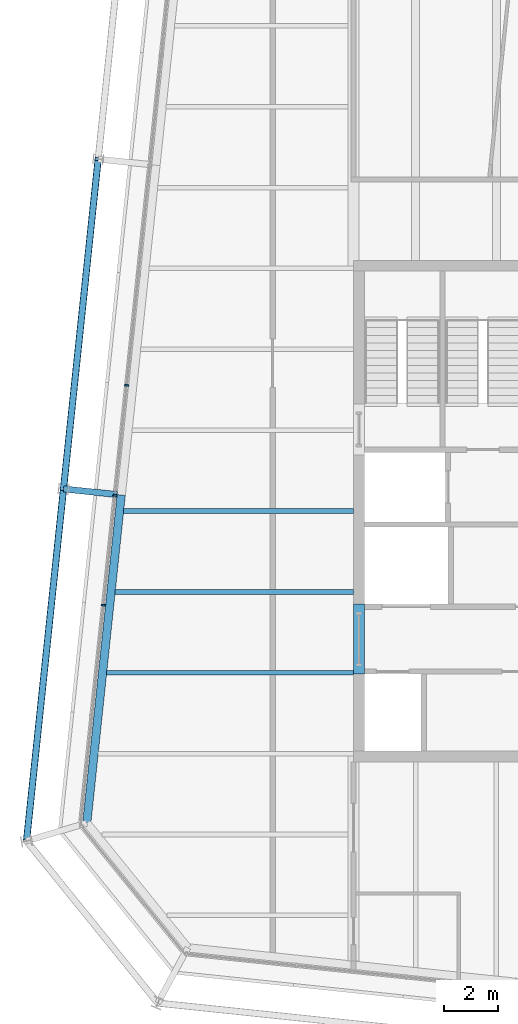
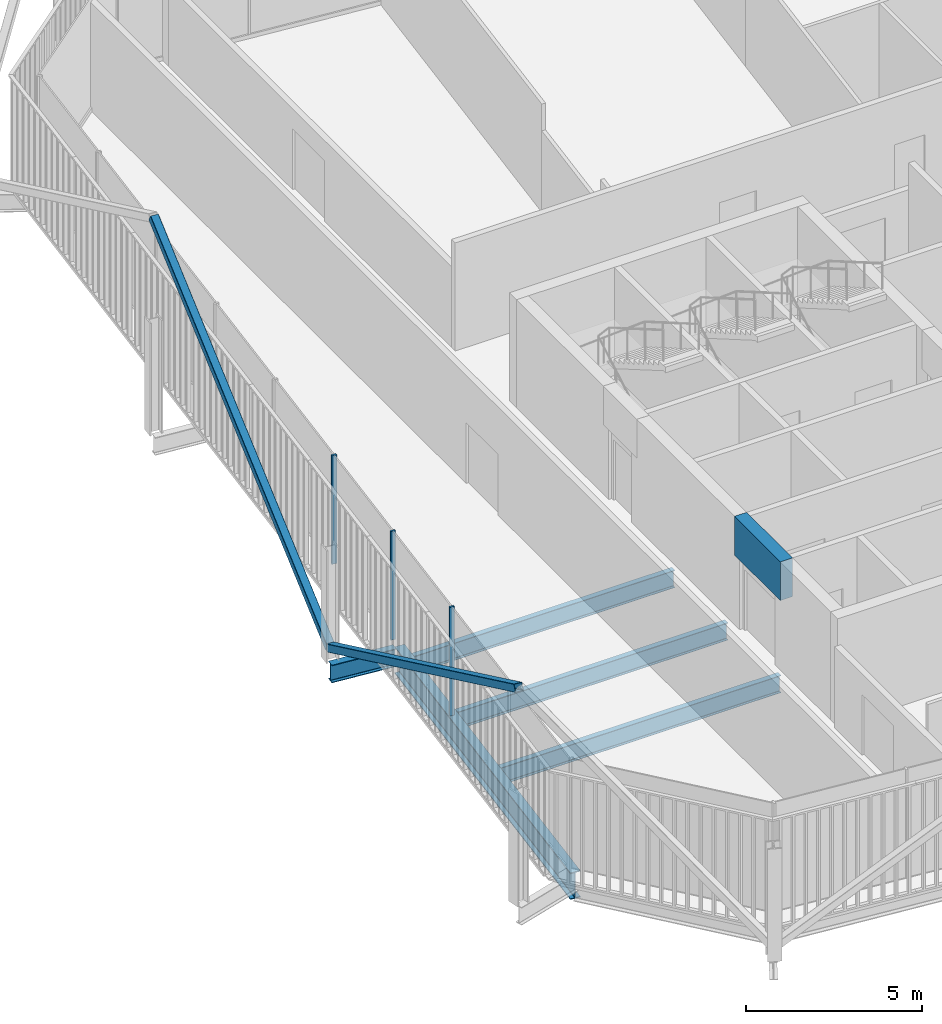
# One storey, part 6 of 21: 6 beams, 5 members, 1 element without a shape of its own.
"""IFC4 building model written with IfcOpenShell, lengths in metres."""

from ifc_helpers import new_model, si_unit, direction, frame, origin, origin_2d, place, context, subcontext, project, spatial, rectangle, hollow_rectangle, i_section, extrude, material, layer, layer_set, material_profile, profile_set, type_object, element, aggregate, save


model = new_model("IFC4")

# Units and contexts
model_context = context("Model", 3, precision=1e-05, world=origin(), true_north=direction((0.0, 1.0)))
body_context = subcontext(model_context, "Body", "Model", "MODEL_VIEW")
ifc_project = project(units=[si_unit("LENGTHUNIT", "METRE"), si_unit("AREAUNIT", "SQUARE_METRE"), si_unit("VOLUMEUNIT", "CUBIC_METRE"), si_unit("PLANEANGLEUNIT", "RADIAN"), si_unit("MASSUNIT", "GRAM", prefix="KILO")], contexts=[model_context])

# Site, building, storey
site_placement = place(None, origin())
site = spatial("IfcSite", under=ifc_project, at=site_placement, CompositionType="ELEMENT")
building_placement = place(site_placement, origin())
building = spatial("IfcBuilding", under=site, at=building_placement, Name="Millrace Tower", CompositionType="ELEMENT")
storey_placement = place(building_placement, frame((0.0, 0.0, 283.800048828125)))
storey = spatial("IfcBuildingStorey", under=building, at=storey_placement, Name="L65", CompositionType="ELEMENT", Elevation=283.800048828125)

# Curtain wall, members
ifc_material_1 = material(Name="Aluminium and glass", Category="aluminium")
ifc_layer = layer(ifc_material_1, 0.14990234375)
ifc_layer_set = layer_set([ifc_layer], Name="Aluminium and glass")
curtain_wall_type = type_object("IfcCurtainWallType", Name="CW-1 office vision curtain wall", PredefinedType="NOTDEFINED", material=ifc_layer_set)
curtain_wall_placement = place(storey_placement, origin())
curtain_wall = element("IfcCurtainWall", 1, at=curtain_wall_placement, inside=storey, type_object=curtain_wall_type, Name="Curtain wall E-F08 L65", PredefinedType="NOTDEFINED")
ifc_material_2 = material(Name="Aluminium", Category="aluminium")
ifc_material_profile_1 = material_profile(ifc_material_2, rectangle(XDim=0.06494140625, YDim=0.14990234375, at=origin_2d()))
ifc_profile_set_1 = profile_set([ifc_material_profile_1], Name="Aluminium")
member_type_1 = type_object("IfcMemberType", Name="CW-1 office vision curtain wall mullion", PredefinedType="MULLION", material=ifc_profile_set_1)
member_1_placement = place(storey_placement, frame((-22.717529296875, 4.664794921875, 0.139892578125), z_axis=(0.0, 0.0, 1.0), x_axis=(-0.104528455196, -0.994521896217, 0.0)))
member_1 = element("IfcMember", 2, at=member_1_placement, type_object=member_type_1, Name="CW1 mullion E-F08.6", PredefinedType="MULLION", context=body_context, shape_type="SweptSolid", body=[
    extrude(rectangle(XDim=0.06494140625, YDim=0.14990234375, at=origin_2d()), origin(), (0.0, 0.0, 1.0), 3.760009765625),
])
member_2_placement = place(storey_placement, frame((-23.146240234375, 0.587158203125, 0.139892578125), z_axis=(0.0, 0.0, 1.0), x_axis=(-0.104528455196, -0.994521896217, 0.0)))
member_2 = element("IfcMember", 3, at=member_2_placement, type_object=member_type_1, Name="CW1 mullion E-F08.7", PredefinedType="MULLION", context=body_context, shape_type="SweptSolid", body=[
    extrude(rectangle(XDim=0.06494140625, YDim=0.14990234375, at=origin_2d()), origin(), (0.0, 0.0, 1.0), 3.760009765625),
])
member_3_placement = place(storey_placement, frame((-23.57470703125, -3.490234375, 0.139892578125), z_axis=(0.0, 0.0, 1.0), x_axis=(-0.104528455196, -0.994521896217, 0.0)))
member_3 = element("IfcMember", 4, at=member_3_placement, type_object=member_type_1, Name="CW1 mullion E-F08.8", PredefinedType="MULLION", context=body_context, shape_type="SweptSolid", body=[
    extrude(rectangle(XDim=0.06494140625, YDim=0.14990234375, at=origin_2d()), origin(), (0.0, 0.0, 1.0), 3.760009765625),
])
aggregate(curtain_wall, [member_1, member_2, member_3])

# Beam
ifc_material_3 = material(Name="Concrete C60", Category="concrete")
ifc_material_profile_2 = material_profile(ifc_material_3, rectangle(XDim=0.39990234375, YDim=1.340087890625, at=origin_2d()))
ifc_profile_set_2 = profile_set([ifc_material_profile_2], Name="Concrete C60")
beam_type_1 = type_object("IfcBeamType", Name="Coupling beam 400 x 1340 Concrete C60, 2000 opening", PredefinedType="BEAM", material=ifc_profile_set_2)
beam_1_placement = place(storey_placement, frame((-14.10009765625, -6.050048828125, 3.070068359375), z_axis=(0.0, 1.0, 0.0), x_axis=(-1.0, 0.0, 0.0)))
element("IfcBeam", 5, at=beam_1_placement, inside=storey, type_object=beam_type_1, Name="Coupling beam W L65", PredefinedType="BEAM", context=body_context, shape_type="SweptSolid", body=[
    extrude(rectangle(XDim=0.39990234375, YDim=1.340087890625, at=origin_2d()), origin(), (0.0, 0.0, 1.0), 2.60009765625),
])

# Members
ifc_material_4 = material(Name="Steel ASTM A500 Grade C", Category="steel")
ifc_material_profile_3 = material_profile(ifc_material_4, hollow_rectangle(XDim=0.25390625, YDim=0.25390625, WallThickness=0.0126953125, InnerFilletRadius=0.00634765625, OuterFilletRadius=0.01904296875, at=origin_2d()))
ifc_profile_set_3 = profile_set([ifc_material_profile_3], Name="Steel ASTM A500 Grade C")
member_type_2 = type_object("IfcMemberType", Name="Exoskeleton brace HSS10x10x1/2", PredefinedType="BRACE", material=ifc_profile_set_3)
member_4_placement = place(storey_placement, frame((-25.057373046875, 0.82080078125, 0.39990234375), z_axis=(0.090859841027, 0.864350167962, 0.494614270348), x_axis=(-0.994520342986, 0.104543232143, 0.0)))
element("IfcMember", 6, at=member_4_placement, inside=storey, type_object=member_type_2, Name="BRC-E-L65-15", PredefinedType="BRACE", context=body_context, shape_type="SweptSolid", body=[
    extrude(hollow_rectangle(XDim=0.25390625, YDim=0.25390625, WallThickness=0.0126953125, InnerFilletRadius=0.00634765625, OuterFilletRadius=0.01904296875, at=origin_2d()), origin(), (0.0, 0.0, 1.0), 14.15234375),
])
member_5_placement = place(storey_placement, frame((-25.057373046875, 0.82080078125, 0.39990234375), z_axis=(-0.092220680702, -0.877573310314, 0.47048956532), x_axis=(0.994523779096, -0.104510539239, 0.0)))
element("IfcMember", 7, at=member_5_placement, inside=storey, type_object=member_type_2, Name="BRC-E-L65-16", PredefinedType="BRACE", context=body_context, shape_type="SweptSolid", body=[
    extrude(hollow_rectangle(XDim=0.25390625, YDim=0.25390625, WallThickness=0.0126953125, InnerFilletRadius=0.00634765625, OuterFilletRadius=0.01904296875, at=origin_2d()), origin(), (0.0, 0.0, 1.0), 14.878173828125),
])

# Beams
ifc_material_5 = material(Name="Steel ASTM A992 Grade 50", Category="steel")
ifc_material_profile_4 = material_profile(ifc_material_5, i_section(OverallWidth=0.177978515625, OverallDepth=0.599365234375, WebThickness=0.010009765625, FlangeThickness=0.012939453125, FilletRadius=0.012939453125, at=origin_2d()))
ifc_profile_set_4 = profile_set([ifc_material_profile_4], Name="Steel ASTM A992 Grade 50")
beam_type_2 = type_object("IfcBeamType", Name="Floor beam W24x55", PredefinedType="JOIST", material=ifc_profile_set_4)
beam_2_placement = place(storey_placement, frame((-23.4541015625, -6.0, -0.459716796875), z_axis=(1.0, 0.0, 0.0), x_axis=(0.0, 1.0, 0.0)))
element("IfcBeam", 8, at=beam_2_placement, inside=storey, type_object=beam_type_2, Name="BM-E-L65-S1-S009", PredefinedType="JOIST", context=body_context, shape_type="SweptSolid", body=[
    extrude(i_section(OverallWidth=0.177978515625, OverallDepth=0.599365234375, WebThickness=0.010009765625, FlangeThickness=0.012939453125, FilletRadius=0.012939453125, at=origin_2d()), origin(), (0.0, 0.0, 1.0), 9.154052734375),
])
beam_3_placement = place(storey_placement, frame((-23.138916015625, -3.0, -0.459716796875), z_axis=(1.0, 0.0, 0.0), x_axis=(0.0, 1.0, 0.0)))
element("IfcBeam", 9, at=beam_3_placement, inside=storey, type_object=beam_type_2, Name="BM-E-L65-S1-S012", PredefinedType="JOIST", context=body_context, shape_type="SweptSolid", body=[
    extrude(i_section(OverallWidth=0.177978515625, OverallDepth=0.599365234375, WebThickness=0.010009765625, FlangeThickness=0.012939453125, FilletRadius=0.012939453125, at=origin_2d()), origin(), (0.0, 0.0, 1.0), 8.8388671875),
])
beam_4_placement = place(storey_placement, frame((-22.823486328125, 0.0, -0.459716796875), z_axis=(1.0, 0.0, 0.0), x_axis=(0.0, 1.0, 0.0)))
element("IfcBeam", 10, at=beam_4_placement, inside=storey, type_object=beam_type_2, Name="BM-E-L65-S1-S015", PredefinedType="JOIST", context=body_context, shape_type="SweptSolid", body=[
    extrude(i_section(OverallWidth=0.177978515625, OverallDepth=0.599365234375, WebThickness=0.010009765625, FlangeThickness=0.012939453125, FilletRadius=0.012939453125, at=origin_2d()), origin(), (0.0, 0.0, 1.0), 8.5234375),
])
ifc_material_6 = material(Name="Steel ASTM A992 Grade 50", Category="steel")
ifc_material_profile_5 = material_profile(ifc_material_6, i_section(OverallWidth=0.23046875, OverallDepth=0.6171875, WebThickness=0.01318359375, FlangeThickness=0.022216796875, FilletRadius=0.012939453125, at=origin_2d()))
ifc_profile_set_5 = profile_set([ifc_material_profile_5], Name="Steel ASTM A992 Grade 50")
beam_type_3 = type_object("IfcBeamType", Name="Link beam W24x94", PredefinedType="BEAM", material=ifc_profile_set_5)
beam_5_placement = place(storey_placement, frame((-23.068115234375, 0.61181640625, -0.46875), z_axis=(-0.994526834051, 0.104481464157, 0.0), x_axis=(-0.104481464157, -0.994526834051, 0.0)))
element("IfcBeam", 11, at=beam_5_placement, inside=storey, type_object=beam_type_3, Name="LNK-E-L65-S1-02", PredefinedType="BEAM", context=body_context, shape_type="SweptSolid", body=[
    extrude(i_section(OverallWidth=0.23046875, OverallDepth=0.6171875, WebThickness=0.01318359375, FlangeThickness=0.022216796875, FilletRadius=0.012939453125, at=origin_2d()), origin(), (0.0, 0.0, 1.0), 2.000244140625),
])
ifc_material_7 = material(Name="Steel ASTM A992 Grade 50", Category="steel")
ifc_material_profile_6 = material_profile(ifc_material_7, i_section(OverallWidth=0.307373046875, OverallDepth=0.927001953125, WebThickness=0.01953125, FlangeThickness=0.031982421875, FilletRadius=0.01904296875, at=origin_2d()))
ifc_profile_set_6 = profile_set([ifc_material_profile_6], Name="Steel ASTM A992 Grade 50")
beam_type_4 = type_object("IfcBeamType", Name="Ring beam medium span W36x194", PredefinedType="SPANDREL", material=ifc_profile_set_6)
beam_6_placement = place(storey_placement, frame((-24.1943359375, -11.57373046875, -0.62353515625), z_axis=(0.104527955888, 0.994521948696, 0.0), x_axis=(-0.994521948696, 0.104527955888, 0.0)))
element("IfcBeam", 12, at=beam_6_placement, inside=storey, type_object=beam_type_4, Name="RNG-E-L65-S1-01", PredefinedType="SPANDREL", context=body_context, shape_type="SweptSolid", body=[
    extrude(i_section(OverallWidth=0.307373046875, OverallDepth=0.927001953125, WebThickness=0.01953125, FlangeThickness=0.031982421875, FilletRadius=0.01904296875, at=origin_2d()), origin(), (0.0, 0.0, 1.0), 12.236572265625),
])

save(model, "model.ifc")
